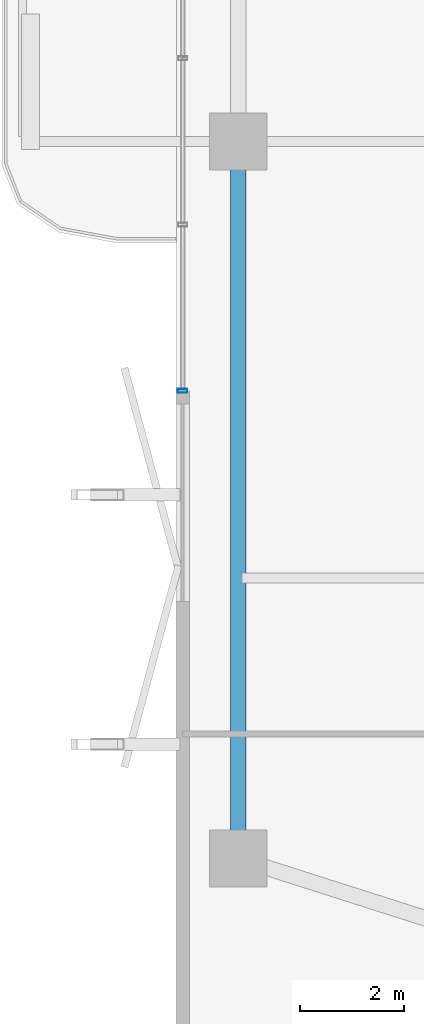
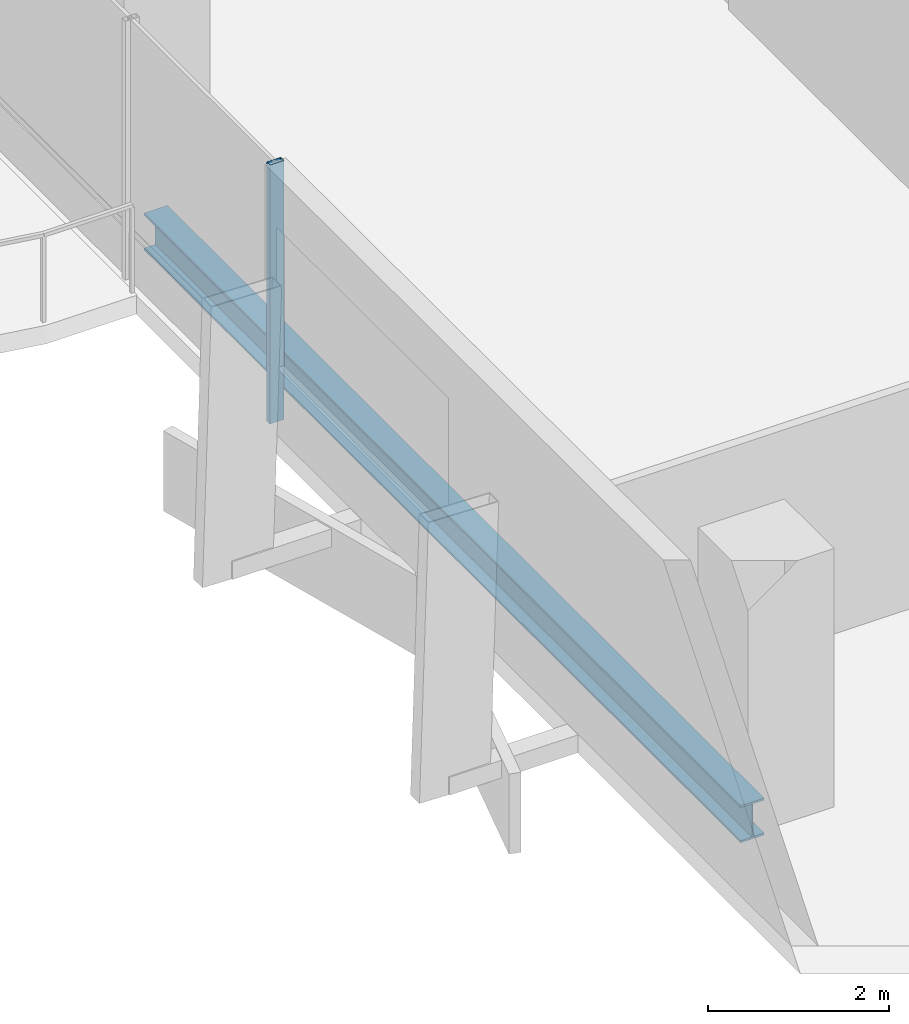
# One storey, part 4 of 25: 1 beam, 1 member, 1 element without a shape of its own.
"""IFC4 building model written with IfcOpenShell, lengths in metres."""

from ifc_helpers import new_model, si_unit, direction, frame, origin, origin_2d, place, context, subcontext, project, spatial, hollow_rectangle, i_section, extrude, material, layer, layer_set, material_profile, profile_set, type_object, element, aggregate, save


model = new_model("IFC4")

# Units and contexts
model_context = context("Model", 3, precision=1e-05, world=origin(), true_north=direction((0.0, 1.0)))
body_context = subcontext(model_context, "Body", "Model", "MODEL_VIEW")
ifc_project = project(units=[si_unit("LENGTHUNIT", "METRE"), si_unit("AREAUNIT", "SQUARE_METRE"), si_unit("VOLUMEUNIT", "CUBIC_METRE"), si_unit("PLANEANGLEUNIT", "RADIAN"), si_unit("MASSUNIT", "GRAM", prefix="KILO")], contexts=[model_context])

# Site, building, storey
site_placement = place(None, origin())
site = spatial("IfcSite", under=ifc_project, at=site_placement, CompositionType="ELEMENT")
building_placement = place(site_placement, origin())
building = spatial("IfcBuilding", under=site, at=building_placement, Name="Belovzor Exchange Tower", CompositionType="ELEMENT")
storey_placement = place(building_placement, frame((0.0, 0.0, 149.550048828125)))
storey = spatial("IfcBuildingStorey", under=building, at=storey_placement, Name="L36", CompositionType="ELEMENT", Elevation=149.550048828125)

# Curtain wall, member
ifc_material_1 = material(Name="Anodised Aluminium Framing", Category="aluminium")
ifc_layer = layer(ifc_material_1, 0.179931640625)
ifc_layer_set = layer_set([ifc_layer], Name="Anodised Aluminium Framing")
curtain_wall_type = type_object("IfcCurtainWallType", Name="Recessed Loggia Low-Iron Triple-Glazed Curtain Wall", PredefinedType="NOTDEFINED", material=ifc_layer_set)
curtain_wall_placement = place(storey_placement, origin())
curtain_wall = element("IfcCurtainWall", 1, at=curtain_wall_placement, inside=storey, type_object=curtain_wall_type, Name="CW3 Recessed Loggia Low-Iron Triple-Glazed Curtain Wall L36", PredefinedType="NOTDEFINED")
ifc_material_2 = material(Name="Steel S355", Category="steel")
ifc_material_profile_1 = material_profile(ifc_material_2, hollow_rectangle(XDim=0.074951171875, YDim=0.179931640625, WallThickness=0.0048828125, at=origin_2d()))
ifc_profile_set_1 = profile_set([ifc_material_profile_1], Name="Steel S355")
member_type = type_object("IfcMemberType", Name="Thermally Broken Curtain Wall Mullion 180x75", PredefinedType="MULLION", material=ifc_profile_set_1)
member_placement = place(storey_placement, frame((4.6298828125, 24.0, 0.0), z_axis=(0.0, 0.0, 1.0), x_axis=(0.0, 1.0, 0.0)))
member = element("IfcMember", 2, at=member_placement, type_object=member_type, Name="CW-M180 Curtain Wall Mullion 1", PredefinedType="MULLION", context=body_context, shape_type="SweptSolid", body=[
    extrude(hollow_rectangle(XDim=0.074951171875, YDim=0.179931640625, WallThickness=0.0048828125, at=origin_2d()), origin(), (0.0, 0.0, 1.0), 3.494873046875),
])
aggregate(curtain_wall, [member])

# Beam
ifc_material_3 = material(Name="Steel S355", Category="steel")
ifc_material_profile_2 = material_profile(ifc_material_3, i_section(OverallWidth=0.300048828125, OverallDepth=0.5, WebThickness=0.014404296875, FlangeThickness=0.028076171875, at=origin_2d()))
ifc_profile_set_2 = profile_set([ifc_material_profile_2], Name="Steel S355")
beam_type = type_object("IfcBeamType", Name="Zone 3 Waist Primary Girder HEB 500", PredefinedType="BEAM", material=ifc_profile_set_2)
beam_placement = place(storey_placement, frame((5.699951171875, 28.498046875, -0.505126953125), z_axis=(0.0, -1.0, 0.0), x_axis=(1.0, 0.0, 0.0)))
element("IfcBeam", 3, at=beam_placement, inside=storey, type_object=beam_type, Name="FG-Z3 Zone 3 Waist Primary Girder HEB 500", PredefinedType="BEAM", context=body_context, shape_type="SweptSolid", body=[
    extrude(i_section(OverallWidth=0.300048828125, OverallDepth=0.5, WebThickness=0.014404296875, FlangeThickness=0.028076171875, at=origin_2d()), origin(), (0.0, 0.0, 1.0), 13.195068359375),
])

save(model, "model.ifc")
